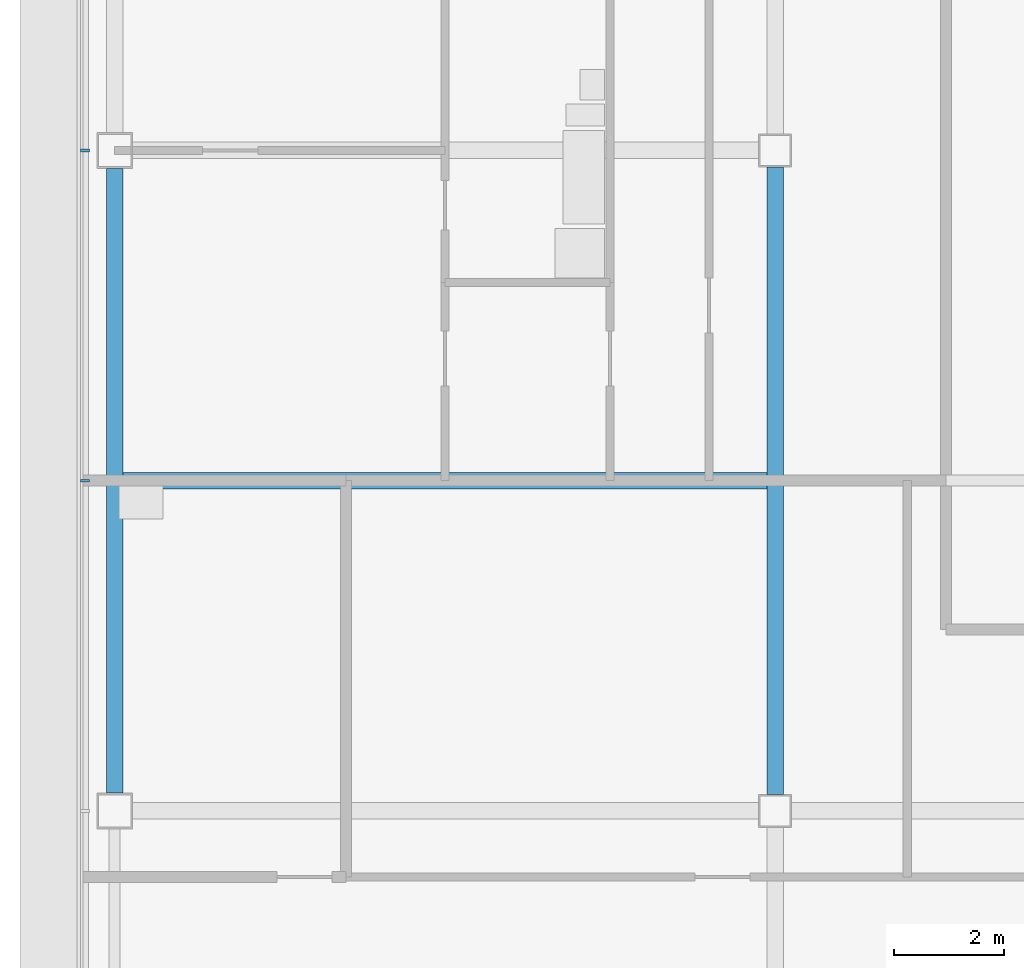
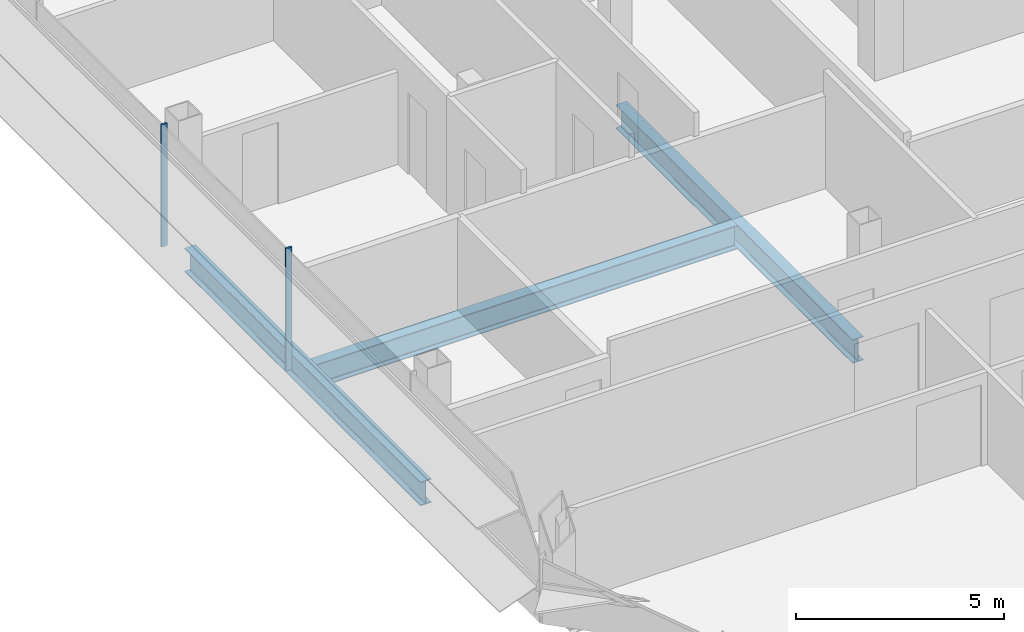
# One storey, part 4 of 27: 3 beams, 2 members, 1 element without a shape of its own.
"""IFC4 building model written with IfcOpenShell, lengths in metres."""

from ifc_helpers import new_model, si_unit, direction, frame, origin, origin_2d, place, context, subcontext, project, spatial, rectangle, i_section, extrude, material, material_profile, profile_set, type_object, element, aggregate, save


model = new_model("IFC4")

# Units and contexts
model_context = context("Model", 3, precision=1e-05, world=origin(), true_north=direction((0.0, 1.0)))
body_context = subcontext(model_context, "Body", "Model", "MODEL_VIEW")
ifc_project = project(units=[si_unit("LENGTHUNIT", "METRE"), si_unit("AREAUNIT", "SQUARE_METRE"), si_unit("VOLUMEUNIT", "CUBIC_METRE"), si_unit("PLANEANGLEUNIT", "RADIAN"), si_unit("MASSUNIT", "GRAM", prefix="KILO")], contexts=[model_context])

# Site, building, storey
site_placement = place(None, origin())
site = spatial("IfcSite", under=ifc_project, at=site_placement, CompositionType="ELEMENT")
building_placement = place(site_placement, origin())
building = spatial("IfcBuilding", under=site, at=building_placement, Name="Sorahane Residences", CompositionType="ELEMENT")
storey_placement = place(building_placement, frame((0.0, 0.0, 202.800048828125)))
storey = spatial("IfcBuildingStorey", under=building, at=storey_placement, Name="L47", CompositionType="ELEMENT", Elevation=202.800048828125)

# Curtain wall, members
ifc_material_1 = material(Name="Dark low-e glass and black anodised aluminium", Category="aluminium")
curtain_wall_type = type_object("IfcCurtainWallType", Name="Curtain wall CW-1 Typical unitised wall", PredefinedType="NOTDEFINED", material=ifc_material_1)
curtain_wall_placement = place(storey_placement, origin())
curtain_wall = element("IfcCurtainWall", 1, at=curtain_wall_placement, inside=storey, type_object=curtain_wall_type, Name="CW-1 curtain wall L47 W1", PredefinedType="NOTDEFINED")
ifc_material_2 = material(Name="Black anodised aluminium", Category="aluminium")
ifc_material_profile_1 = material_profile(ifc_material_2, rectangle(XDim=0.159912109375, YDim=0.050048828125, at=origin_2d()), Name="Curtain wall mullion CW-1 black anodised aluminium 50x160")
ifc_profile_set_1 = profile_set([ifc_material_profile_1], Name="Black anodised aluminium")
member_type = type_object("IfcMemberType", Name="Curtain wall mullion CW-1 black anodised aluminium 50x160", PredefinedType="MULLION", material=ifc_profile_set_1)
member_1_placement = place(storey_placement, frame((-12.5400390625, 24.0, -0.179931640625), z_axis=(0.0, 0.0, 1.0), x_axis=(-1.0, 0.0, 0.0)))
member_1 = element("IfcMember", 2, at=member_1_placement, type_object=member_type, Name="CW-1 mullion L47 W1.4", PredefinedType="MULLION", context=body_context, shape_type="SweptSolid", body=[
    extrude(rectangle(XDim=0.159912109375, YDim=0.050048828125, at=origin_2d()), origin(), (0.0, 0.0, 1.0), 3.599853515625),
])
member_2_placement = place(storey_placement, frame((-12.5400390625, 18.0, -0.179931640625), z_axis=(0.0, 0.0, 1.0), x_axis=(-1.0, 0.0, 0.0)))
member_2 = element("IfcMember", 3, at=member_2_placement, type_object=member_type, Name="CW-1 mullion L47 W1.5", PredefinedType="MULLION", context=body_context, shape_type="SweptSolid", body=[
    extrude(rectangle(XDim=0.159912109375, YDim=0.050048828125, at=origin_2d()), origin(), (0.0, 0.0, 1.0), 3.599853515625),
])
aggregate(curtain_wall, [member_1, member_2])

# Beams
ifc_material_3 = material(Name="Steel Q355B", Category="steel")
ifc_material_profile_2 = material_profile(ifc_material_3, i_section(OverallWidth=0.300048828125, OverallDepth=0.699951171875, WebThickness=0.012939453125, FlangeThickness=0.02392578125, FilletRadius=0.028076171875, at=origin_2d()), Name="HN 700x300x13x24")
ifc_profile_set_2 = profile_set([ifc_material_profile_2], Name="Steel Q355B")
beam_type = type_object("IfcBeamType", Name="Steel floor beam HN 700x300x13x24 Q355B", PredefinedType="BEAM", material=ifc_profile_set_2)
beam_1_placement = place(storey_placement, frame((-12.0, 12.324951171875, -0.530029296875), z_axis=(0.0, 1.0, 0.0), x_axis=(-1.0, 0.0, 0.0)))
element("IfcBeam", 4, at=beam_1_placement, inside=storey, type_object=beam_type, Name="Beam L47 021", PredefinedType="BEAM", context=body_context, shape_type="SweptSolid", body=[
    extrude(i_section(OverallWidth=0.300048828125, OverallDepth=0.699951171875, WebThickness=0.012939453125, FlangeThickness=0.02392578125, FilletRadius=0.028076171875, at=origin_2d()), origin(), (0.0, 0.0, 1.0), 11.35009765625),
])
beam_2_placement = place(storey_placement, frame((0.0, 12.300048828125, -0.530029296875), z_axis=(0.0, 1.0, 0.0), x_axis=(-1.0, 0.0, 0.0)))
element("IfcBeam", 5, at=beam_2_placement, inside=storey, type_object=beam_type, Name="Beam L47 025", PredefinedType="BEAM", context=body_context, shape_type="SweptSolid", body=[
    extrude(i_section(OverallWidth=0.300048828125, OverallDepth=0.699951171875, WebThickness=0.012939453125, FlangeThickness=0.02392578125, FilletRadius=0.028076171875, at=origin_2d()), origin(), (0.0, 0.0, 1.0), 11.39990234375),
])
beam_3_placement = place(storey_placement, frame((-11.85009765625, 18.0, -0.530029296875), z_axis=(1.0, 0.0, 0.0), x_axis=(0.0, 1.0, 0.0)))
element("IfcBeam", 6, at=beam_3_placement, inside=storey, type_object=beam_type, Name="Beam L47 078", PredefinedType="BEAM", context=body_context, shape_type="SweptSolid", body=[
    extrude(i_section(OverallWidth=0.300048828125, OverallDepth=0.699951171875, WebThickness=0.012939453125, FlangeThickness=0.02392578125, FilletRadius=0.028076171875, at=origin_2d()), origin(), (0.0, 0.0, 1.0), 11.7001953125),
])

save(model, "model.ifc")
